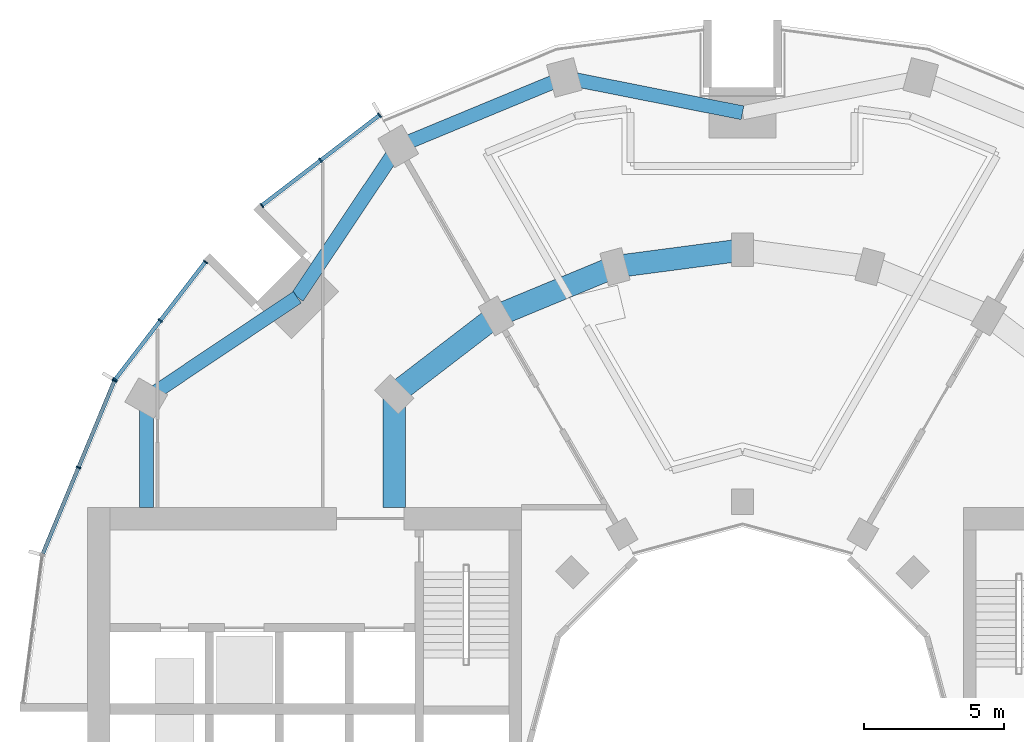
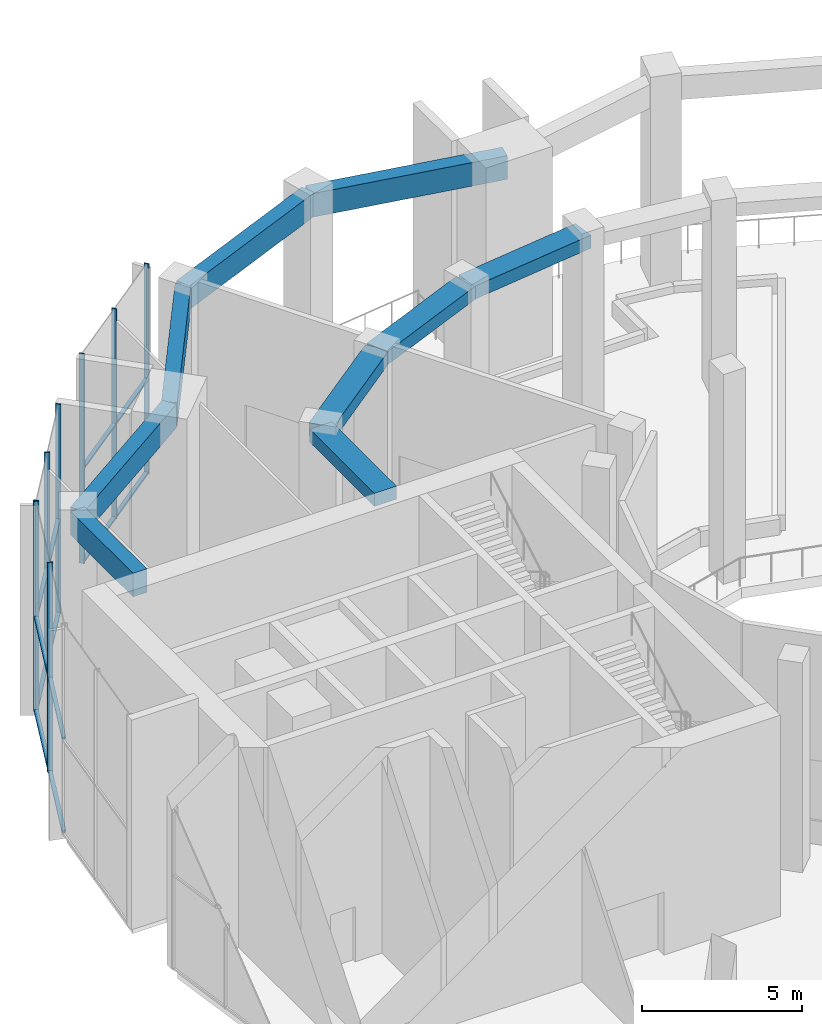
# One storey, part 7 of 18: 20 members, 9 beams, 3 elements without a shape of their own.
"""IFC4 building model written with IfcOpenShell, lengths in metres."""

from ifc_helpers import new_model, si_unit, direction, frame, origin, origin_2d, place, context, subcontext, project, spatial, rectangle, extrude, material, layer, layer_set, material_profile, profile_set, type_object, element, aggregate, save


model = new_model("IFC4")

# Units and contexts
model_context = context("Model", 3, precision=1e-05, world=origin(), true_north=direction((0.0, 1.0)))
body_context = subcontext(model_context, "Body", "Model", "MODEL_VIEW")
ifc_project = project(units=[si_unit("LENGTHUNIT", "METRE"), si_unit("AREAUNIT", "SQUARE_METRE"), si_unit("VOLUMEUNIT", "CUBIC_METRE"), si_unit("PLANEANGLEUNIT", "RADIAN"), si_unit("MASSUNIT", "GRAM", prefix="KILO")], contexts=[model_context])

# Site, building, storey
site_placement = place(None, origin())
site = spatial("IfcSite", under=ifc_project, at=site_placement, CompositionType="ELEMENT")
building_placement = place(site_placement, origin())
building = spatial("IfcBuilding", under=site, at=building_placement, Name="Torre Brocal", CompositionType="ELEMENT")
storey_placement = place(building_placement, frame((0.0, 0.0, 74.39990234375)))
storey = spatial("IfcBuildingStorey", under=building, at=storey_placement, Name="L17", CompositionType="ELEMENT", Elevation=74.39990234375)

# Curtain wall, members
ifc_material_1 = material(Name="Aluminium and glass", Category="aluminium")
ifc_layer = layer(ifc_material_1, 0.199951171875)
ifc_layer_set = layer_set([ifc_layer], Name="Aluminium and glass")
curtain_wall_type = type_object("IfcCurtainWallType", Name="CW-4 CURTAIN WALL 8000 HIGH", PredefinedType="NOTDEFINED", material=ifc_layer_set)
curtain_wall_1_placement = place(storey_placement, origin())
curtain_wall_1 = element("IfcCurtainWall", 1, at=curtain_wall_1_placement, inside=storey, type_object=curtain_wall_type, Name="CW-4 RUN 9", PredefinedType="NOTDEFINED")
ifc_material_2 = material(Name="Aluminium, dark anodised", Category="aluminium")
ifc_material_profile_1 = material_profile(ifc_material_2, rectangle(XDim=0.179931640625, YDim=0.050048828125, at=origin_2d()), Name="CW-4 MULLION 50X180")
ifc_profile_set_1 = profile_set([ifc_material_profile_1], Name="Aluminium, dark anodised")
member_type_1 = type_object("IfcMemberType", Name="CW-4 MULLION 50X180", PredefinedType="MULLION", material=ifc_profile_set_1)
member_1_placement = place(storey_placement, frame((67.030517578125, 97.4140625, 0.0), z_axis=(0.0, 0.0, 1.0), x_axis=(0.60876142905, -0.793353340259, 0.0)))
member_1 = element("IfcMember", 2, at=member_1_placement, type_object=member_type_1, Name="CW4-1 mullion 1", PredefinedType="MULLION", context=body_context, shape_type="SweptSolid", body=[
    extrude(rectangle(XDim=0.179931640625, YDim=0.050048828125, at=origin_2d()), origin(), (0.0, 0.0, 1.0), 8.0),
])
member_2_placement = place(storey_placement, frame((64.9287109375, 95.80126953125, 0.0), z_axis=(0.0, 0.0, 1.0), x_axis=(0.60876142905, -0.793353340259, 0.0)))
member_2 = element("IfcMember", 3, at=member_2_placement, type_object=member_type_1, Name="CW4-1 mullion 2", PredefinedType="MULLION", context=body_context, shape_type="SweptSolid", body=[
    extrude(rectangle(XDim=0.179931640625, YDim=0.050048828125, at=origin_2d()), origin(), (0.0, 0.0, 1.0), 8.0),
])
member_3_placement = place(storey_placement, frame((62.82666015625, 94.188232421875, 0.0), z_axis=(0.0, 0.0, 1.0), x_axis=(0.60876142905, -0.793353340259, 0.0)))
member_3 = element("IfcMember", 4, at=member_3_placement, type_object=member_type_1, Name="CW4-1 mullion 3", PredefinedType="MULLION", context=body_context, shape_type="SweptSolid", body=[
    extrude(rectangle(XDim=0.179931640625, YDim=0.050048828125, at=origin_2d()), origin(), (0.0, 0.0, 1.0), 8.0),
])

curtain_wall_2_placement = place(storey_placement, origin())
curtain_wall_2 = element("IfcCurtainWall", 5, at=curtain_wall_2_placement, inside=storey, type_object=curtain_wall_type, Name="CW-4 RUN 10", PredefinedType="NOTDEFINED")
member_4_placement = place(storey_placement, frame((60.811767578125, 92.17333984375, 0.0), z_axis=(0.0, 0.0, 1.0), x_axis=(0.793353340259, -0.60876142905, 0.0)))
member_4 = element("IfcMember", 6, at=member_4_placement, type_object=member_type_1, Name="CW4-1 mullion 1", PredefinedType="MULLION", context=body_context, shape_type="SweptSolid", body=[
    extrude(rectangle(XDim=0.179931640625, YDim=0.050048828125, at=origin_2d()), origin(), (0.0, 0.0, 1.0), 8.0),
])
member_5_placement = place(storey_placement, frame((59.19873046875, 90.0712890625, 0.0), z_axis=(0.0, 0.0, 1.0), x_axis=(0.793353340259, -0.60876142905, 0.0)))
member_5 = element("IfcMember", 7, at=member_5_placement, type_object=member_type_1, Name="CW4-1 mullion 2", PredefinedType="MULLION", context=body_context, shape_type="SweptSolid", body=[
    extrude(rectangle(XDim=0.179931640625, YDim=0.050048828125, at=origin_2d()), origin(), (0.0, 0.0, 1.0), 8.0),
])
member_6_placement = place(storey_placement, frame((57.5859375, 87.969482421875, 0.0), z_axis=(0.0, 0.0, 1.0), x_axis=(0.793353340259, -0.60876142905, 0.0)))
member_6 = element("IfcMember", 8, at=member_6_placement, type_object=member_type_1, Name="CW4-1 mullion 3", PredefinedType="MULLION", context=body_context, shape_type="SweptSolid", body=[
    extrude(rectangle(XDim=0.179931640625, YDim=0.050048828125, at=origin_2d()), origin(), (0.0, 0.0, 1.0), 8.0),
])

curtain_wall_3_placement = place(storey_placement, origin())
curtain_wall_3 = element("IfcCurtainWall", 9, at=curtain_wall_3_placement, inside=storey, type_object=curtain_wall_type, Name="CW-4 RUN 11", PredefinedType="NOTDEFINED")
member_7_placement = place(storey_placement, frame((57.56103515625, 87.926513671875, 0.0), z_axis=(0.0, 0.0, 1.0), x_axis=(0.923879532525, -0.382683432333, 0.0)))
member_7 = element("IfcMember", 10, at=member_7_placement, type_object=member_type_1, Name="CW4-1 mullion 1", PredefinedType="MULLION", context=body_context, shape_type="SweptSolid", body=[
    extrude(rectangle(XDim=0.179931640625, YDim=0.050048828125, at=origin_2d()), origin(), (0.0, 0.0, 1.0), 8.0),
])
member_8_placement = place(storey_placement, frame((56.277099609375, 84.826416015625, 0.0), z_axis=(0.0, 0.0, 1.0), x_axis=(0.923879532525, -0.382683432333, 0.0)))
member_8 = element("IfcMember", 11, at=member_8_placement, type_object=member_type_1, Name="CW4-1 mullion 2", PredefinedType="MULLION", context=body_context, shape_type="SweptSolid", body=[
    extrude(rectangle(XDim=0.179931640625, YDim=0.050048828125, at=origin_2d()), origin(), (0.0, 0.0, 1.0), 8.0),
])

# Member
ifc_material_3 = material(Name="Aluminium, dark anodised", Category="aluminium")
ifc_material_profile_2 = material_profile(ifc_material_3, rectangle(XDim=0.139892578125, YDim=0.070068359375, at=origin_2d()), Name="CW-4 TRANSOM 140X70")
ifc_profile_set_2 = profile_set([ifc_material_profile_2], Name="Aluminium, dark anodised")
member_type_2 = type_object("IfcMemberType", Name="CW-4 TRANSOM 140X70", PredefinedType="USERDEFINED", material=ifc_profile_set_2)
member_9_placement = place(storey_placement, frame((67.0107421875, 97.39892578125, 0.03515625), z_axis=(-0.793335698171, -0.608784419977, 0.0), x_axis=(0.608784419977, -0.793335698171, 0.0)))
member_9 = element("IfcMember", 12, at=member_9_placement, type_object=member_type_2, Name="CW4-1 transom 1.1", ObjectType="TRANSOM", PredefinedType="USERDEFINED", context=body_context, shape_type="SweptSolid", body=[
    extrude(rectangle(XDim=0.139892578125, YDim=0.070068359375, at=origin_2d()), origin(), (0.0, 0.0, 1.0), 2.599365234375),
])

member_10_placement = place(storey_placement, frame((67.0107421875, 97.39892578125, 3.60009765625), z_axis=(-0.793335698171, -0.608784419977, 0.0), x_axis=(0.608784419977, -0.793335698171, 0.0)))
member_10 = element("IfcMember", 13, at=member_10_placement, type_object=member_type_2, Name="CW4-1 transom 1.2", ObjectType="TRANSOM", PredefinedType="USERDEFINED", context=body_context, shape_type="SweptSolid", body=[
    extrude(rectangle(XDim=0.139892578125, YDim=0.070068359375, at=origin_2d()), origin(), (0.0, 0.0, 1.0), 2.599365234375),
])

member_11_placement = place(storey_placement, frame((64.90869140625, 95.785888671875, 0.03515625), z_axis=(-0.79338105877, -0.608725303881, 0.0), x_axis=(0.608725303881, -0.79338105877, 0.0)))
member_11 = element("IfcMember", 14, at=member_11_placement, type_object=member_type_2, Name="CW4-1 transom 2.1", ObjectType="TRANSOM", PredefinedType="USERDEFINED", context=body_context, shape_type="SweptSolid", body=[
    extrude(rectangle(XDim=0.139892578125, YDim=0.070068359375, at=origin_2d()), origin(), (0.0, 0.0, 1.0), 2.599365234375),
])

member_12_placement = place(storey_placement, frame((64.90869140625, 95.785888671875, 3.60009765625), z_axis=(-0.79338105877, -0.608725303881, 0.0), x_axis=(0.608725303881, -0.79338105877, 0.0)))
member_12 = element("IfcMember", 15, at=member_12_placement, type_object=member_type_2, Name="CW4-1 transom 2.2", ObjectType="TRANSOM", PredefinedType="USERDEFINED", context=body_context, shape_type="SweptSolid", body=[
    extrude(rectangle(XDim=0.139892578125, YDim=0.070068359375, at=origin_2d()), origin(), (0.0, 0.0, 1.0), 2.599365234375),
])

aggregate(curtain_wall_1, [member_1, member_2, member_3, member_9, member_10, member_11, member_12])

member_13_placement = place(storey_placement, frame((60.79638671875, 92.153564453125, 0.03515625), z_axis=(-0.608725303881, -0.79338105877, 0.0), x_axis=(0.79338105877, -0.608725303881, 0.0)))
member_13 = element("IfcMember", 16, at=member_13_placement, type_object=member_type_2, Name="CW4-1 transom 1.1", ObjectType="TRANSOM", PredefinedType="USERDEFINED", context=body_context, shape_type="SweptSolid", body=[
    extrude(rectangle(XDim=0.139892578125, YDim=0.070068359375, at=origin_2d()), origin(), (0.0, 0.0, 1.0), 2.599365234375),
])

member_14_placement = place(storey_placement, frame((60.79638671875, 92.153564453125, 3.60009765625), z_axis=(-0.608725303881, -0.79338105877, 0.0), x_axis=(0.79338105877, -0.608725303881, 0.0)))
member_14 = element("IfcMember", 17, at=member_14_placement, type_object=member_type_2, Name="CW4-1 transom 1.2", ObjectType="TRANSOM", PredefinedType="USERDEFINED", context=body_context, shape_type="SweptSolid", body=[
    extrude(rectangle(XDim=0.139892578125, YDim=0.070068359375, at=origin_2d()), origin(), (0.0, 0.0, 1.0), 2.599365234375),
])

member_15_placement = place(storey_placement, frame((59.18359375, 90.051513671875, 0.03515625), z_axis=(-0.608784419977, -0.793335698171, 0.0), x_axis=(0.793335698171, -0.608784419977, 0.0)))
member_15 = element("IfcMember", 18, at=member_15_placement, type_object=member_type_2, Name="CW4-1 transom 2.1", ObjectType="TRANSOM", PredefinedType="USERDEFINED", context=body_context, shape_type="SweptSolid", body=[
    extrude(rectangle(XDim=0.139892578125, YDim=0.070068359375, at=origin_2d()), origin(), (0.0, 0.0, 1.0), 2.599365234375),
])

member_16_placement = place(storey_placement, frame((59.18359375, 90.051513671875, 3.60009765625), z_axis=(-0.608784419977, -0.793335698171, 0.0), x_axis=(0.793335698171, -0.608784419977, 0.0)))
member_16 = element("IfcMember", 19, at=member_16_placement, type_object=member_type_2, Name="CW4-1 transom 2.2", ObjectType="TRANSOM", PredefinedType="USERDEFINED", context=body_context, shape_type="SweptSolid", body=[
    extrude(rectangle(XDim=0.139892578125, YDim=0.070068359375, at=origin_2d()), origin(), (0.0, 0.0, 1.0), 2.599365234375),
])

aggregate(curtain_wall_2, [member_4, member_5, member_6, member_13, member_14, member_15, member_16])

member_17_placement = place(storey_placement, frame((57.551513671875, 87.9033203125, 0.03515625), z_axis=(-0.382658376168, -0.92388991073, 0.0), x_axis=(0.92388991073, -0.382658376168, 0.0)))
member_17 = element("IfcMember", 20, at=member_17_placement, type_object=member_type_2, Name="CW4-1 transom 1.1", ObjectType="TRANSOM", PredefinedType="USERDEFINED", context=body_context, shape_type="SweptSolid", body=[
    extrude(rectangle(XDim=0.139892578125, YDim=0.070068359375, at=origin_2d()), origin(), (0.0, 0.0, 1.0), 3.305419921875),
])

member_18_placement = place(storey_placement, frame((57.551513671875, 87.9033203125, 3.60009765625), z_axis=(-0.382658376168, -0.92388991073, 0.0), x_axis=(0.92388991073, -0.382658376168, 0.0)))
member_18 = element("IfcMember", 21, at=member_18_placement, type_object=member_type_2, Name="CW4-1 transom 1.2", ObjectType="TRANSOM", PredefinedType="USERDEFINED", context=body_context, shape_type="SweptSolid", body=[
    extrude(rectangle(XDim=0.139892578125, YDim=0.070068359375, at=origin_2d()), origin(), (0.0, 0.0, 1.0), 3.305419921875),
])

member_19_placement = place(storey_placement, frame((56.267333984375, 84.80322265625, 0.03515625), z_axis=(-0.382658376168, -0.92388991073, 0.0), x_axis=(0.92388991073, -0.382658376168, 0.0)))
member_19 = element("IfcMember", 22, at=member_19_placement, type_object=member_type_2, Name="CW4-1 transom 2.1", ObjectType="TRANSOM", PredefinedType="USERDEFINED", context=body_context, shape_type="SweptSolid", body=[
    extrude(rectangle(XDim=0.139892578125, YDim=0.070068359375, at=origin_2d()), origin(), (0.0, 0.0, 1.0), 3.305419921875),
])

member_20_placement = place(storey_placement, frame((56.267333984375, 84.80322265625, 3.60009765625), z_axis=(-0.382658376168, -0.92388991073, 0.0), x_axis=(0.92388991073, -0.382658376168, 0.0)))
member_20 = element("IfcMember", 23, at=member_20_placement, type_object=member_type_2, Name="CW4-1 transom 2.2", ObjectType="TRANSOM", PredefinedType="USERDEFINED", context=body_context, shape_type="SweptSolid", body=[
    extrude(rectangle(XDim=0.139892578125, YDim=0.070068359375, at=origin_2d()), origin(), (0.0, 0.0, 1.0), 3.305419921875),
])

aggregate(curtain_wall_3, [member_7, member_8, member_17, member_18, member_19, member_20])

# Beams
ifc_material_4 = material(Name="Concrete C50", Category="concrete")
ifc_material_profile_3 = material_profile(ifc_material_4, rectangle(XDim=0.800048828125, YDim=0.5, at=origin_2d()), Name="RC 800X500")
ifc_profile_set_3 = profile_set([ifc_material_profile_3], Name="Concrete C50")
beam_type_1 = type_object("IfcBeamType", Name="RC BEAM 800X500 C50 TOP 7680", PredefinedType="BEAM", material=ifc_profile_set_3)
beam_1_placement = place(storey_placement, frame((80.0, 92.60009765625, 7.43017578125), z_axis=(-0.991440544449, -0.130558978332, 0.0), x_axis=(0.130558978332, -0.991440544449, 0.0)))
element("IfcBeam", 24, at=beam_1_placement, inside=storey, type_object=beam_type_1, Name="Beam BT-23", PredefinedType="BEAM", context=body_context, shape_type="SweptSolid", body=[
    extrude(rectangle(XDim=0.800048828125, YDim=0.5, at=origin_2d()), origin(), (0.0, 0.0, 1.0), 4.594482421875),
])
beam_2_placement = place(storey_placement, frame((75.44482421875, 92.000244140625, 7.43017578125), z_axis=(-0.923878240166, -0.382686552348, 0.0), x_axis=(0.382686552348, -0.923878240166, 0.0)))
element("IfcBeam", 25, at=beam_2_placement, inside=storey, type_object=beam_type_1, Name="Beam BT-23", PredefinedType="BEAM", context=body_context, shape_type="SweptSolid", body=[
    extrude(rectangle(XDim=0.800048828125, YDim=0.5, at=origin_2d()), origin(), (0.0, 0.0, 1.0), 4.5947265625),
])
beam_3_placement = place(storey_placement, frame((71.199951171875, 90.241943359375, 7.43017578125), z_axis=(-0.793358265959, -0.6087550097, 0.0), x_axis=(0.6087550097, -0.793358265959, 0.0)))
element("IfcBeam", 26, at=beam_3_placement, inside=storey, type_object=beam_type_1, Name="Beam BT-23", PredefinedType="BEAM", context=body_context, shape_type="SweptSolid", body=[
    extrude(rectangle(XDim=0.800048828125, YDim=0.5, at=origin_2d()), origin(), (0.0, 0.0, 1.0), 4.594482421875),
])
beam_4_placement = place(storey_placement, frame((67.554931640625, 87.445068359375, 7.43017578125), z_axis=(0.0, -1.0, 0.0), x_axis=(1.0, 0.0, 0.0)))
element("IfcBeam", 27, at=beam_4_placement, inside=storey, type_object=beam_type_1, Name="Beam BT-23", PredefinedType="BEAM", context=body_context, shape_type="SweptSolid", body=[
    extrude(rectangle(XDim=0.800048828125, YDim=0.5, at=origin_2d()), origin(), (0.0, 0.0, 1.0), 4.045166015625),
])
ifc_material_5 = material(Name="Concrete C50", Category="concrete")
ifc_material_profile_4 = material_profile(ifc_material_5, rectangle(XDim=0.5, YDim=0.89990234375, at=origin_2d()), Name="RC 500X900")
ifc_profile_set_4 = profile_set([ifc_material_profile_4], Name="Concrete C50")
beam_type_2 = type_object("IfcBeamType", Name="RC SPANDREL BEAM 500X900 C50 TOP 7680", PredefinedType="SPANDREL", material=ifc_profile_set_4)
beam_5_placement = place(storey_placement, frame((80.0, 97.5, 7.22998046875), z_axis=(-0.980924907484, 0.194387051723, 0.0), x_axis=(-0.194387051723, -0.980924907484, 0.0)))
element("IfcBeam", 28, at=beam_5_placement, inside=storey, type_object=beam_type_2, Name="Beam BT-24", PredefinedType="SPANDREL", context=body_context, shape_type="SweptSolid", body=[
    extrude(rectangle(XDim=0.5, YDim=0.89990234375, at=origin_2d()), origin(), (0.0, 0.0, 1.0), 6.49072265625),
])
beam_6_placement = place(storey_placement, frame((73.633056640625, 98.76171875, 7.22998046875), z_axis=(-0.923882462513, -0.382676358639, 0.0), x_axis=(0.382676358639, -0.923882462513, 0.0)))
element("IfcBeam", 29, at=beam_6_placement, inside=storey, type_object=beam_type_2, Name="Beam BT-24", PredefinedType="SPANDREL", context=body_context, shape_type="SweptSolid", body=[
    extrude(rectangle(XDim=0.5, YDim=0.89990234375, at=origin_2d()), origin(), (0.0, 0.0, 1.0), 6.421875),
])
for number, where, z_axis, x_axis, name in (
    (30, (67.699951171875, 96.30419921875, 7.22998046875), (-0.556157602282, -0.831076844476, 0.0), (0.831076844476, -0.556157602282, 0.0), "Beam BT-24"),
    (31, (64.090087890625, 90.909912109375, 7.22998046875), (-0.831076844476, -0.556157602282, 0.0), (0.556157602282, -0.831076844476, 0.0), "Beam BT-24"),
):
    element("IfcBeam", number, at=place(storey_placement, frame(where, z_axis=z_axis, x_axis=x_axis)), inside=storey, type_object=beam_type_2, Name=name, PredefinedType="SPANDREL", context=body_context, shape_type="SweptSolid", body=[
        extrude(rectangle(XDim=0.5, YDim=0.89990234375, at=origin_2d()), origin(), (0.0, 0.0, 1.0), 6.49072265625),
    ])
beam_7_placement = place(storey_placement, frame((58.69580078125, 87.300048828125, 7.22998046875), z_axis=(0.0, -1.0, 0.0), x_axis=(1.0, 0.0, 0.0)))
element("IfcBeam", 32, at=beam_7_placement, inside=storey, type_object=beam_type_2, Name="Beam BT-24", PredefinedType="SPANDREL", context=body_context, shape_type="SweptSolid", body=[
    extrude(rectangle(XDim=0.5, YDim=0.89990234375, at=origin_2d()), origin(), (0.0, 0.0, 1.0), 3.900146484375),
])

save(model, "model.ifc")
